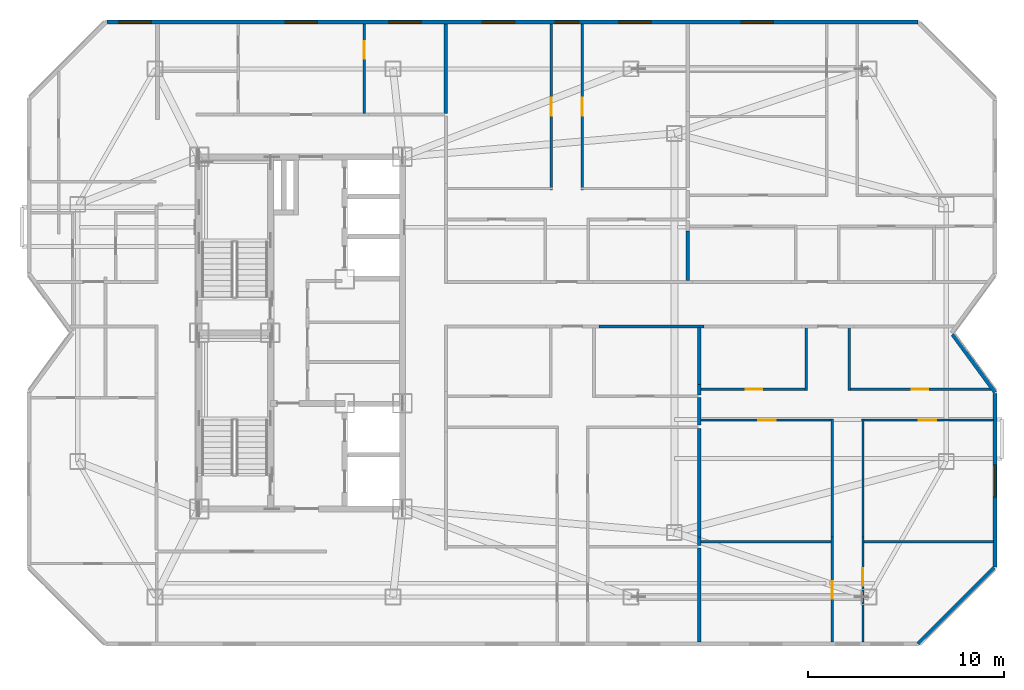
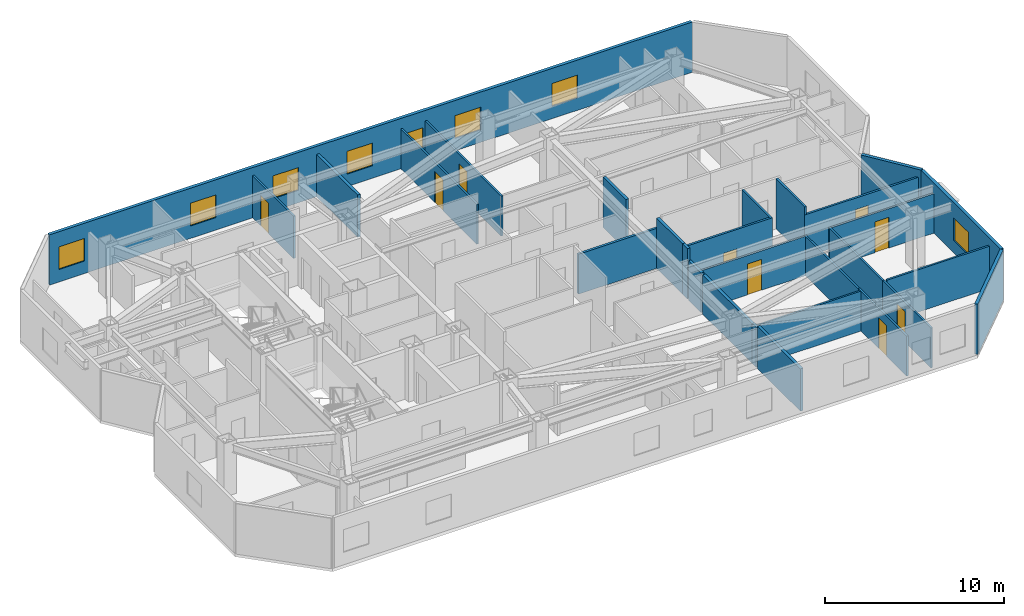
# One storey, part 7 of 10: 28 walls, 9 doors, 8 windows, 17 openings.
"""IFC4 building model written with IfcOpenShell, lengths in metres."""

from ifc_helpers import new_model, si_unit, direction, frame, frame_2d, origin, place, context, subcontext, project, spatial, rectangle, extrude, material, layer, layer_set, type_object, element, fill, save


model = new_model("IFC4")

# Units and contexts
model_context = context("Model", 3, precision=1e-05, world=origin(), true_north=direction((0.0, 1.0)))
body_context = subcontext(model_context, "Body", "Model", "MODEL_VIEW")
ifc_project = project(units=[si_unit("LENGTHUNIT", "METRE"), si_unit("AREAUNIT", "SQUARE_METRE"), si_unit("VOLUMEUNIT", "CUBIC_METRE"), si_unit("PLANEANGLEUNIT", "RADIAN"), si_unit("MASSUNIT", "GRAM", prefix="KILO")], contexts=[model_context])

# Site, building, storey
site_placement = place(None, origin())
site = spatial("IfcSite", under=ifc_project, at=site_placement, CompositionType="ELEMENT")
building_placement = place(site_placement, origin())
building = spatial("IfcBuilding", under=site, at=building_placement, Name="Khamvora Tower", CompositionType="ELEMENT")
storey_placement = place(building_placement, frame((0.0, 0.0, 257.35009765625)))
storey = spatial("IfcBuildingStorey", under=building, at=storey_placement, Name="L66", CompositionType="ELEMENT", Elevation=257.35009765625)

# Walls
ifc_material_1 = material(Name="Fire-Rated Drywall and Steel Stud", Category="steel")
ifc_layer_1 = layer(ifc_material_1, 0.14990234375)
ifc_layer_set_1 = layer_set([ifc_layer_1], Name="Fire-Rated Drywall and Steel Stud")
wall_type_1 = type_object("IfcWallType", Name="WAL-CORR-150", PredefinedType="STANDARD", material=ifc_layer_set_1)
wall_1_placement = place(storey_placement, frame((54.81396484375, 28.3349609375, 0.0), z_axis=(0.0, 0.0, 1.0), x_axis=(-1.0, 0.0, 0.0)))
element("IfcWall", 1, at=wall_1_placement, inside=storey, type_object=wall_type_1, Name="L66 interior partition wall 023", PredefinedType="STANDARD", context=body_context, shape_type="SweptSolid", body=[
    extrude(rectangle(XDim=5.375, YDim=0.14990234375, at=frame_2d((2.6875, 0.0))), origin(), (0.0, 0.0, 1.0), 2.724853515625),
])
ifc_material_2 = material(Name="Acoustic Double-Stud Fire Wall", Category="gypsum")
ifc_layer_2 = layer(ifc_material_2, 0.179931640625)
ifc_layer_set_2 = layer_set([ifc_layer_2], Name="Acoustic Double-Stud Fire Wall")
wall_type_2 = type_object("IfcWallType", Name="WAL-CORR-180", PredefinedType="STANDARD", material=ifc_layer_set_2)
wall_2_placement = place(storey_placement, frame((41.614990234375, 43.80810546875, 0.0), z_axis=(0.0, 0.0, 1.0), x_axis=(0.0, -1.0, 0.0)))
element("IfcWall", 2, at=wall_2_placement, inside=storey, type_object=wall_type_2, Name="L66 interior partition wall 057", PredefinedType="STANDARD", context=body_context, shape_type="SweptSolid", body=[
    extrude(rectangle(XDim=4.578125, YDim=0.179931640625, at=frame_2d((2.2890625, 0.0))), origin(), (0.0, 0.0, 1.0), 2.886962890625),
])
wall_3_placement = place(storey_placement, frame((54.56494140625, 24.68994140625, 0.0), z_axis=(0.0, 0.0, 1.0), x_axis=(0.0, -1.0, 0.0)))
element("IfcWall", 3, at=wall_3_placement, inside=storey, type_object=wall_type_2, Name="L66 interior partition wall 068", PredefinedType="STANDARD", context=body_context, shape_type="SweptSolid", body=[
    extrude(rectangle(XDim=1.392822265625, YDim=0.179931640625, at=frame_2d((0.6962890625, 0.0))), origin(), (0.0, 0.0, 1.0), 2.68701171875),
])
wall_4_placement = place(storey_placement, frame((54.56494140625, 25.375, 0.0), z_axis=(0.0, 0.0, 1.0), x_axis=(0.0, -1.0, 0.0)))
element("IfcWall", 4, at=wall_4_placement, inside=storey, type_object=wall_type_2, Name="L66 interior partition wall 069", PredefinedType="STANDARD", context=body_context, shape_type="SweptSolid", body=[
    extrude(rectangle(XDim=0.554931640625, YDim=0.179931640625, at=frame_2d((0.27734375, 0.0))), origin(), (0.0, 0.0, 1.0), 3.429931640625),
])
wall_5_placement = place(storey_placement, frame((54.56494140625, 28.27001953125, 0.0), z_axis=(0.0, 0.0, 1.0), x_axis=(0.0, -1.0, 0.0)))
element("IfcWall", 5, at=wall_5_placement, inside=storey, type_object=wall_type_2, Name="L66 interior partition wall 070", PredefinedType="STANDARD", context=body_context, shape_type="SweptSolid", body=[
    extrude(rectangle(XDim=2.89501953125, YDim=0.179931640625, at=frame_2d((1.447509765625, 0.0))), origin(), (0.0, 0.0, 1.0), 3.429931640625),
])
wall_6_placement = place(storey_placement, frame((54.56494140625, 17.0, 0.0), z_axis=(0.0, 0.0, 1.0), x_axis=(0.0, -1.0, 0.0)))
element("IfcWall", 6, at=wall_6_placement, inside=storey, type_object=wall_type_2, Name="L66 interior partition wall 073", PredefinedType="STANDARD", context=body_context, shape_type="SweptSolid", body=[
    extrude(rectangle(XDim=4.80810546875, YDim=0.179931640625, at=frame_2d((2.404052734375, 0.0))), origin(), (0.0, 0.0, 1.0), 2.886962890625),
])
wall_7_placement = place(storey_placement, frame((54.56494140625, 17.574951171875, 0.0), z_axis=(0.0, 0.0, 1.0), x_axis=(0.0, -1.0, 0.0)))
element("IfcWall", 7, at=wall_7_placement, inside=storey, type_object=wall_type_2, Name="L66 interior partition wall 074", PredefinedType="STANDARD", context=body_context, shape_type="SweptSolid", body=[
    extrude(rectangle(XDim=0.445068359375, YDim=0.179931640625, at=frame_2d((0.22265625, 0.0))), origin(), (0.0, 0.0, 1.0), 2.724853515625),
])
wall_8_placement = place(storey_placement, frame((54.56494140625, 23.110107421875, 0.0), z_axis=(0.0, 0.0, 1.0), x_axis=(0.0, -1.0, 0.0)))
element("IfcWall", 8, at=wall_8_placement, inside=storey, type_object=wall_type_2, Name="L66 interior partition wall 075", PredefinedType="STANDARD", context=body_context, shape_type="SweptSolid", body=[
    extrude(rectangle(XDim=5.53515625, YDim=0.179931640625, at=frame_2d((2.767578125, 0.0))), origin(), (0.0, 0.0, 1.0), 2.68701171875),
])
wall_9_placement = place(storey_placement, frame((53.985107421875, 33.214111328125, 0.0), z_axis=(0.0, 0.0, 1.0), x_axis=(0.0, -1.0, 0.0)))
element("IfcWall", 9, at=wall_9_placement, inside=storey, type_object=wall_type_2, Name="L66 interior partition wall 098", PredefinedType="STANDARD", context=body_context, shape_type="SweptSolid", body=[
    extrude(rectangle(XDim=2.5341796875, YDim=0.179931640625, at=frame_2d((1.26708984375, 0.0))), origin(), (0.0, 0.0, 1.0), 3.429931640625),
])

# Wall, openings, windows
ifc_material_3 = material(Name="Precast concrete C40/50", Category="concrete")
ifc_layer_3 = layer(ifc_material_3, 0.199951171875)
ifc_layer_set_3 = layer_set([ifc_layer_3], Name="Precast concrete C40/50")
wall_type_3 = type_object("IfcWallType", Name="WAL-EXT-200", PredefinedType="STANDARD", material=ifc_layer_set_3)
wall_10_placement = place(storey_placement, frame((24.302001953125, 43.89990234375, 0.0), z_axis=(0.0, 0.0, 1.0), x_axis=(1.0, 0.0, 0.0)))
wall_10 = element("IfcWall", 10, at=wall_10_placement, inside=storey, type_object=wall_type_3, Name="L66 exterior facade wall 07.1", PredefinedType="STANDARD", context=body_context, shape_type="SweptSolid", body=[
    extrude(rectangle(XDim=41.45703125, YDim=0.199951171875, at=frame_2d((20.728515625, 0.0))), origin(), (0.0, 0.0, 1.0), 3.429931640625),
])
opening_1_placement = place(wall_10_placement, frame((0.60400390625, 0.0, 0.85009765625)))
opening_1 = element("IfcOpeningElement", 11, at=opening_1_placement, cuts=wall_10, Name="Opening WN-06", PredefinedType="OPENING", context=body_context, shape_type="SweptSolid", body=[
    extrude(rectangle(XDim=1.64990234375, YDim=1.550048828125, at=frame_2d((0.824951171875, 0.77490234375))), frame((0.0, 0.10986328125, 0.0), z_axis=(0.0, -1.0, 0.0), x_axis=(1.0, 0.0, 0.0)), (0.0, 0.0, 1.0), 0.219970703125),
])
opening_2_placement = place(wall_10_placement, frame((9.097900390625, 0.0, 0.85009765625)))
opening_2 = element("IfcOpeningElement", 12, at=opening_2_placement, cuts=wall_10, Name="Opening WN-06", PredefinedType="OPENING", context=body_context, shape_type="SweptSolid", body=[
    extrude(rectangle(XDim=1.64990234375, YDim=1.550048828125, at=frame_2d((0.824951171875, 0.77490234375))), frame((0.0, 0.10986328125, 0.0), z_axis=(0.0, -1.0, 0.0), x_axis=(1.0, 0.0, 0.0)), (0.0, 0.0, 1.0), 0.219970703125),
])
opening_3_placement = place(wall_10_placement, frame((14.405029296875, 0.0, 0.85009765625)))
opening_3 = element("IfcOpeningElement", 13, at=opening_3_placement, cuts=wall_10, Name="Opening WN-06", PredefinedType="OPENING", context=body_context, shape_type="SweptSolid", body=[
    extrude(rectangle(XDim=1.64990234375, YDim=1.550048828125, at=frame_2d((0.824951171875, 0.77490234375))), frame((0.0, 0.10986328125, 0.0), z_axis=(0.0, -1.0, 0.0), x_axis=(1.0, 0.0, 0.0)), (0.0, 0.0, 1.0), 0.219970703125),
])
opening_4_placement = place(wall_10_placement, frame((22.89794921875, 0.0, 0.800048828125)))
opening_4 = element("IfcOpeningElement", 14, at=opening_4_placement, cuts=wall_10, Name="Opening WN-03", PredefinedType="OPENING", context=body_context, shape_type="SweptSolid", body=[
    extrude(rectangle(XDim=1.199951171875, YDim=1.5, at=frame_2d((0.60009765625, 0.75))), frame((0.0, 0.10986328125, 0.0), z_axis=(0.0, -1.0, 0.0), x_axis=(1.0, 0.0, 0.0)), (0.0, 0.0, 1.0), 0.219970703125),
])
opening_5_placement = place(wall_10_placement, frame((19.18798828125, 0.0, 0.85009765625)))
opening_5 = element("IfcOpeningElement", 15, at=opening_5_placement, cuts=wall_10, Name="Opening WN-06", PredefinedType="OPENING", context=body_context, shape_type="SweptSolid", body=[
    extrude(rectangle(XDim=1.64990234375, YDim=1.550048828125, at=frame_2d((0.824951171875, 0.77490234375))), frame((0.0, 0.10986328125, 0.0), z_axis=(0.0, -1.0, 0.0), x_axis=(1.0, 0.0, 0.0)), (0.0, 0.0, 1.0), 0.219970703125),
])
opening_6_placement = place(wall_10_placement, frame((26.157958984375, 0.0, 0.85009765625)))
opening_6 = element("IfcOpeningElement", 16, at=opening_6_placement, cuts=wall_10, Name="Opening WN-06", PredefinedType="OPENING", context=body_context, shape_type="SweptSolid", body=[
    extrude(rectangle(XDim=1.64990234375, YDim=1.550048828125, at=frame_2d((0.824951171875, 0.77490234375))), frame((0.0, 0.10986328125, 0.0), z_axis=(0.0, -1.0, 0.0), x_axis=(1.0, 0.0, 0.0)), (0.0, 0.0, 1.0), 0.219970703125),
])
opening_7_placement = place(wall_10_placement, frame((32.407958984375, 0.0, 0.85009765625)))
opening_7 = element("IfcOpeningElement", 17, at=opening_7_placement, cuts=wall_10, Name="Opening WN-06", PredefinedType="OPENING", context=body_context, shape_type="SweptSolid", body=[
    extrude(rectangle(XDim=1.64990234375, YDim=1.550048828125, at=frame_2d((0.824951171875, 0.77490234375))), frame((0.0, 0.10986328125, 0.0), z_axis=(0.0, -1.0, 0.0), x_axis=(1.0, 0.0, 0.0)), (0.0, 0.0, 1.0), 0.219970703125),
])
ifc_material_4 = material(Name="Low-E Laminated Double Glazing", Category="glass")
window_type_1 = type_object("IfcWindowType", Name="WIN-VIS-1200x1500", PartitioningType="SINGLE_PANEL", PredefinedType="WINDOW", material=ifc_material_4)
window_1_placement = place(opening_4_placement, origin())
window_1 = element("IfcWindow", 18, at=window_1_placement, inside=storey, type_object=window_type_1, Name="L66 vision window 07.1.04", OverallHeight=1.5, OverallWidth=1.199951171875, PartitioningType="SINGLE_PANEL", PredefinedType="WINDOW", context=body_context, shape_type="SweptSolid", body=[
    extrude(rectangle(XDim=1.199951171875, YDim=1.5, at=frame_2d((0.60009765625, 0.75))), frame((0.0, 0.030029296875, 0.0), z_axis=(0.0, -1.0, 0.0), x_axis=(1.0, 0.0, 0.0)), (0.0, 0.0, 1.0), 0.06005859375),
])
fill(opening_4, window_1)
window_type_2 = type_object("IfcWindowType", Name="WIN-VIS-1650x1550", PartitioningType="SINGLE_PANEL", PredefinedType="WINDOW", material=ifc_material_4)
window_2_placement = place(opening_1_placement, origin())
window_2 = element("IfcWindow", 19, at=window_2_placement, inside=storey, type_object=window_type_2, Name="L66 vision window 07.1.01", OverallHeight=1.550048828125, OverallWidth=1.64990234375, PartitioningType="SINGLE_PANEL", PredefinedType="WINDOW", context=body_context, shape_type="SweptSolid", body=[
    extrude(rectangle(XDim=1.64990234375, YDim=1.550048828125, at=frame_2d((0.824951171875, 0.77490234375))), frame((0.0, 0.030029296875, 0.0), z_axis=(0.0, -1.0, 0.0), x_axis=(1.0, 0.0, 0.0)), (0.0, 0.0, 1.0), 0.06005859375),
])
fill(opening_1, window_2)
window_3_placement = place(opening_2_placement, origin())
window_3 = element("IfcWindow", 20, at=window_3_placement, inside=storey, type_object=window_type_2, Name="L66 vision window 07.1.02", OverallHeight=1.550048828125, OverallWidth=1.64990234375, PartitioningType="SINGLE_PANEL", PredefinedType="WINDOW", context=body_context, shape_type="SweptSolid", body=[
    extrude(rectangle(XDim=1.64990234375, YDim=1.550048828125, at=frame_2d((0.824951171875, 0.77490234375))), frame((0.0, 0.030029296875, 0.0), z_axis=(0.0, -1.0, 0.0), x_axis=(1.0, 0.0, 0.0)), (0.0, 0.0, 1.0), 0.06005859375),
])
fill(opening_2, window_3)
window_4_placement = place(opening_3_placement, origin())
window_4 = element("IfcWindow", 21, at=window_4_placement, inside=storey, type_object=window_type_2, Name="L66 vision window 07.1.03", OverallHeight=1.550048828125, OverallWidth=1.64990234375, PartitioningType="SINGLE_PANEL", PredefinedType="WINDOW", context=body_context, shape_type="SweptSolid", body=[
    extrude(rectangle(XDim=1.64990234375, YDim=1.550048828125, at=frame_2d((0.824951171875, 0.77490234375))), frame((0.0, 0.030029296875, 0.0), z_axis=(0.0, -1.0, 0.0), x_axis=(1.0, 0.0, 0.0)), (0.0, 0.0, 1.0), 0.06005859375),
])
fill(opening_3, window_4)
window_5_placement = place(opening_5_placement, origin())
window_5 = element("IfcWindow", 22, at=window_5_placement, inside=storey, type_object=window_type_2, Name="L66 vision window 07.1.05", OverallHeight=1.550048828125, OverallWidth=1.64990234375, PartitioningType="SINGLE_PANEL", PredefinedType="WINDOW", context=body_context, shape_type="SweptSolid", body=[
    extrude(rectangle(XDim=1.64990234375, YDim=1.550048828125, at=frame_2d((0.824951171875, 0.77490234375))), frame((0.0, 0.030029296875, 0.0), z_axis=(0.0, -1.0, 0.0), x_axis=(1.0, 0.0, 0.0)), (0.0, 0.0, 1.0), 0.06005859375),
])
fill(opening_5, window_5)
window_6_placement = place(opening_6_placement, origin())
window_6 = element("IfcWindow", 23, at=window_6_placement, inside=storey, type_object=window_type_2, Name="L66 vision window 07.1.06", OverallHeight=1.550048828125, OverallWidth=1.64990234375, PartitioningType="SINGLE_PANEL", PredefinedType="WINDOW", context=body_context, shape_type="SweptSolid", body=[
    extrude(rectangle(XDim=1.64990234375, YDim=1.550048828125, at=frame_2d((0.824951171875, 0.77490234375))), frame((0.0, 0.030029296875, 0.0), z_axis=(0.0, -1.0, 0.0), x_axis=(1.0, 0.0, 0.0)), (0.0, 0.0, 1.0), 0.06005859375),
])
fill(opening_6, window_6)
window_7_placement = place(opening_7_placement, origin())
window_7 = element("IfcWindow", 24, at=window_7_placement, inside=storey, type_object=window_type_2, Name="L66 vision window 07.1.07", OverallHeight=1.550048828125, OverallWidth=1.64990234375, PartitioningType="SINGLE_PANEL", PredefinedType="WINDOW", context=body_context, shape_type="SweptSolid", body=[
    extrude(rectangle(XDim=1.64990234375, YDim=1.550048828125, at=frame_2d((0.824951171875, 0.77490234375))), frame((0.0, 0.030029296875, 0.0), z_axis=(0.0, -1.0, 0.0), x_axis=(1.0, 0.0, 0.0)), (0.0, 0.0, 1.0), 0.06005859375),
])
fill(opening_7, window_7)

# Wall
wall_11_placement = place(storey_placement, frame((67.527099609375, 27.930908203125, 0.0), z_axis=(0.0, 0.0, 1.0), x_axis=(0.591248456881, -0.80648946815, 0.0)))
element("IfcWall", 25, at=wall_11_placement, inside=storey, type_object=wall_type_3, Name="L66 exterior facade wall 11.1", PredefinedType="STANDARD", context=body_context, shape_type="SweptSolid", body=[
    extrude(rectangle(XDim=3.675048828125, YDim=0.199951171875, at=frame_2d((1.83740234375, 0.0))), origin(), (0.0, 0.0, 1.0), 3.429931640625),
])

# Wall, opening, window
wall_12_placement = place(storey_placement, frame((69.699951171875, 24.916015625, 0.0), z_axis=(0.0, 0.0, 1.0), x_axis=(0.0, -1.0, 0.0)))
wall_12 = element("IfcWall", 26, at=wall_12_placement, inside=storey, type_object=wall_type_3, Name="L66 exterior facade wall 12.1", PredefinedType="STANDARD", context=body_context, shape_type="SweptSolid", body=[
    extrude(rectangle(XDim=8.875, YDim=0.199951171875, at=frame_2d((4.4375, 0.0))), origin(), (0.0, 0.0, 1.0), 3.429931640625),
])
opening_8_placement = place(wall_12_placement, frame((3.655029296875, 0.0, 0.85009765625)))
opening_8 = element("IfcOpeningElement", 27, at=opening_8_placement, cuts=wall_12, Name="Opening WN-06", PredefinedType="OPENING", context=body_context, shape_type="SweptSolid", body=[
    extrude(rectangle(XDim=1.64990234375, YDim=1.550048828125, at=frame_2d((0.824951171875, 0.77490234375))), frame((0.0, 0.10986328125, 0.0), z_axis=(0.0, -1.0, 0.0), x_axis=(1.0, 0.0, 0.0)), (0.0, 0.0, 1.0), 0.219970703125),
])
window_8_placement = place(opening_8_placement, origin())
window_8 = element("IfcWindow", 28, at=window_8_placement, inside=storey, type_object=window_type_2, Name="L66 vision window 12.1.01", OverallHeight=1.550048828125, OverallWidth=1.64990234375, PartitioningType="SINGLE_PANEL", PredefinedType="WINDOW", context=body_context, shape_type="SweptSolid", body=[
    extrude(rectangle(XDim=1.64990234375, YDim=1.550048828125, at=frame_2d((0.824951171875, 0.77490234375))), frame((0.0, 0.030029296875, 0.0), z_axis=(0.0, -1.0, 0.0), x_axis=(1.0, 0.0, 0.0)), (0.0, 0.0, 1.0), 0.06005859375),
])
fill(opening_8, window_8)

# Wall
wall_13_placement = place(storey_placement, frame((69.655029296875, 15.99609375, 0.0), z_axis=(0.0, 0.0, 1.0), x_axis=(-0.707106781187, -0.707106781187, 0.0)))
element("IfcWall", 29, at=wall_13_placement, inside=storey, type_object=wall_type_3, Name="L66 exterior facade wall 13.1", PredefinedType="STANDARD", context=body_context, shape_type="SweptSolid", body=[
    extrude(rectangle(XDim=5.509765625, YDim=0.199951171875, at=frame_2d((2.7548828125, 0.0))), origin(), (0.0, 0.0, 1.0), 3.429931640625),
])

# Wall, opening, door
ifc_material_5 = material(Name="Gypsum Plasterboard Partition", Category="gypsum")
ifc_layer_4 = layer(ifc_material_5, 0.1201171875)
ifc_layer_set_4 = layer_set([ifc_layer_4], Name="Gypsum Plasterboard Partition")
wall_type_4 = type_object("IfcWallType", Name="WAL-PART-120", PredefinedType="PARTITIONING", material=ifc_layer_set_4)
wall_14_placement = place(storey_placement, frame((37.449951171875, 43.80810546875, 0.0), z_axis=(0.0, 0.0, 1.0), x_axis=(0.0, -1.0, 0.0)))
wall_14 = element("IfcWall", 30, at=wall_14_placement, inside=storey, type_object=wall_type_4, Name="L66 interior partition wall 055", PredefinedType="PARTITIONING", context=body_context, shape_type="SweptSolid", body=[
    extrude(rectangle(XDim=4.576171875, YDim=0.1201171875, at=frame_2d((2.2880859375, 0.0))), origin(), (0.0, 0.0, 1.0), 2.886962890625),
])
opening_9_placement = place(wall_14_placement, frame((0.884033203125, 0.0, 0.0)))
opening_9 = element("IfcOpeningElement", 31, at=opening_9_placement, cuts=wall_14, Name="Opening D-RM1", PredefinedType="OPENING", context=body_context, shape_type="SweptSolid", body=[
    extrude(rectangle(XDim=0.89990234375, YDim=2.10009765625, at=frame_2d((0.449951171875, 1.050048828125))), frame((0.0, 0.070068359375, 0.0), z_axis=(0.0, -1.0, 0.0), x_axis=(1.0, 0.0, 0.0)), (0.0, 0.0, 1.0), 0.14013671875),
])
ifc_material_6 = material(Name="Powder-Coated Steel and Hardwood Leaf", Category="steel")
door_type_1 = type_object("IfcDoorType", Name="DOR-ROOM-900", OperationType="NOTDEFINED", PredefinedType="DOOR", material=ifc_material_6)
door_1_placement = place(opening_9_placement, origin())
door_1 = element("IfcDoor", 32, at=door_1_placement, inside=storey, type_object=door_type_1, Name="L66 interior door 66NAH-66NAR1", OperationType="SINGLE_SWING_RIGHT", OverallHeight=2.10009765625, OverallWidth=0.89990234375, PredefinedType="DOOR", context=body_context, shape_type="SweptSolid", body=[
    extrude(rectangle(XDim=0.89990234375, YDim=2.10009765625, at=frame_2d((0.449951171875, 1.050048828125))), frame((0.0, 0.02490234375, 0.0), z_axis=(0.0, -1.0, 0.0), x_axis=(1.0, 0.0, 0.0)), (0.0, 0.0, 1.0), 0.050048828125),
])
fill(opening_9, door_1)

wall_15_placement = place(storey_placement, frame((61.375, 12.19189453125, 0.0), z_axis=(0.0, 0.0, 1.0), x_axis=(0.0, 1.0, 0.0)))
wall_15 = element("IfcWall", 33, at=wall_15_placement, inside=storey, type_object=wall_type_4, Name="L66 interior partition wall 080", PredefinedType="PARTITIONING", context=body_context, shape_type="SweptSolid", body=[
    extrude(rectangle(XDim=5.383056640625, YDim=0.1201171875, at=frame_2d((2.69140625, 0.0))), origin(), (0.0, 0.0, 1.0), 2.724853515625),
])
opening_10_placement = place(wall_15_placement, frame((2.219970703125, 0.0, 0.0)))
opening_10 = element("IfcOpeningElement", 34, at=opening_10_placement, cuts=wall_15, Name="Opening D-RM1", PredefinedType="OPENING", context=body_context, shape_type="SweptSolid", body=[
    extrude(rectangle(XDim=0.89990234375, YDim=2.10009765625, at=frame_2d((0.449951171875, 1.050048828125))), frame((0.0, 0.070068359375, 0.0), z_axis=(0.0, -1.0, 0.0), x_axis=(1.0, 0.0, 0.0)), (0.0, 0.0, 1.0), 0.14013671875),
])
door_2_placement = place(opening_10_placement, origin())
door_2 = element("IfcDoor", 35, at=door_2_placement, inside=storey, type_object=door_type_1, Name="L66 interior door 66EA2H-66EA2R1", OperationType="SINGLE_SWING_LEFT", OverallHeight=2.10009765625, OverallWidth=0.89990234375, PredefinedType="DOOR", context=body_context, shape_type="SweptSolid", body=[
    extrude(rectangle(XDim=0.89990234375, YDim=2.10009765625, at=frame_2d((0.449951171875, 1.050048828125))), frame((0.0, 0.02490234375, 0.0), z_axis=(0.0, -1.0, 0.0), x_axis=(1.0, 0.0, 0.0)), (0.0, 0.0, 1.0), 0.050048828125),
])
fill(opening_10, door_2)

# Wall
wall_16_placement = place(storey_placement, frame((61.375, 17.574951171875, 0.0), z_axis=(0.0, 0.0, 1.0), x_axis=(0.0, 1.0, 0.0)))
element("IfcWall", 36, at=wall_16_placement, inside=storey, type_object=wall_type_4, Name="L66 interior partition wall 081", PredefinedType="PARTITIONING", context=body_context, shape_type="SweptSolid", body=[
    extrude(rectangle(XDim=6.0361328125, YDim=0.1201171875, at=frame_2d((3.01806640625, 0.0))), origin(), (0.0, 0.0, 1.0), 2.68701171875),
])

# Wall, opening, door
wall_17_placement = place(storey_placement, frame((61.43994140625, 23.5458984375, 0.0), z_axis=(0.0, 0.0, 1.0), x_axis=(-1.0, 0.0, 0.0)))
wall_17 = element("IfcWall", 37, at=wall_17_placement, inside=storey, type_object=wall_type_4, Name="L66 interior partition wall 082", PredefinedType="PARTITIONING", context=body_context, shape_type="SweptSolid", body=[
    extrude(rectangle(XDim=6.79296875, YDim=0.1201171875, at=frame_2d((3.396484375, 0.0))), origin(), (0.0, 0.0, 1.0), 2.68701171875),
])
opening_11_placement = place(wall_17_placement, frame((2.946044921875, 0.0, 0.0)))
opening_11 = element("IfcOpeningElement", 38, at=opening_11_placement, cuts=wall_17, Name="Opening D-RM1", PredefinedType="OPENING", context=body_context, shape_type="SweptSolid", body=[
    extrude(rectangle(XDim=0.89990234375, YDim=2.10009765625, at=frame_2d((0.449951171875, 1.050048828125))), frame((0.0, 0.070068359375, 0.0), z_axis=(0.0, -1.0, 0.0), x_axis=(1.0, 0.0, 0.0)), (0.0, 0.0, 1.0), 0.14013671875),
])
door_3_placement = place(opening_11_placement, origin())
door_3 = element("IfcDoor", 39, at=door_3_placement, inside=storey, type_object=door_type_1, Name="L66 interior door 66EA2H-66EA2R2", OperationType="SINGLE_SWING_RIGHT", OverallHeight=2.10009765625, OverallWidth=0.89990234375, PredefinedType="DOOR", context=body_context, shape_type="SweptSolid", body=[
    extrude(rectangle(XDim=0.89990234375, YDim=2.10009765625, at=frame_2d((0.449951171875, 1.050048828125))), frame((0.0, 0.02490234375, 0.0), z_axis=(0.0, -1.0, 0.0), x_axis=(1.0, 0.0, 0.0)), (0.0, 0.0, 1.0), 0.050048828125),
])
fill(opening_11, door_3)

wall_18_placement = place(storey_placement, frame((62.945068359375, 17.574951171875, 0.0), z_axis=(0.0, 0.0, 1.0), x_axis=(0.0, -1.0, 0.0)))
wall_18 = element("IfcWall", 40, at=wall_18_placement, inside=storey, type_object=wall_type_4, Name="L66 interior partition wall 083", PredefinedType="PARTITIONING", context=body_context, shape_type="SweptSolid", body=[
    extrude(rectangle(XDim=5.383056640625, YDim=0.1201171875, at=frame_2d((2.69140625, 0.0))), origin(), (0.0, 0.0, 1.0), 2.724853515625),
])
opening_12_placement = place(wall_18_placement, frame((1.60107421875, 0.0, 0.0)))
opening_12 = element("IfcOpeningElement", 41, at=opening_12_placement, cuts=wall_18, Name="Opening D-RM1", PredefinedType="OPENING", context=body_context, shape_type="SweptSolid", body=[
    extrude(rectangle(XDim=0.89990234375, YDim=2.10009765625, at=frame_2d((0.449951171875, 1.050048828125))), frame((0.0, 0.070068359375, 0.0), z_axis=(0.0, -1.0, 0.0), x_axis=(1.0, 0.0, 0.0)), (0.0, 0.0, 1.0), 0.14013671875),
])
door_4_placement = place(opening_12_placement, origin())
door_4 = element("IfcDoor", 42, at=door_4_placement, inside=storey, type_object=door_type_1, Name="L66 interior door 66EA2H-66EA2R3", OperationType="SINGLE_SWING_LEFT", OverallHeight=2.10009765625, OverallWidth=0.89990234375, PredefinedType="DOOR", context=body_context, shape_type="SweptSolid", body=[
    extrude(rectangle(XDim=0.89990234375, YDim=2.10009765625, at=frame_2d((0.449951171875, 1.050048828125))), frame((0.0, 0.02490234375, 0.0), z_axis=(0.0, -1.0, 0.0), x_axis=(1.0, 0.0, 0.0)), (0.0, 0.0, 1.0), 0.050048828125),
])
fill(opening_12, door_4)

# Wall
wall_19_placement = place(storey_placement, frame((62.945068359375, 23.611083984375, 0.0), z_axis=(0.0, 0.0, 1.0), x_axis=(0.0, -1.0, 0.0)))
element("IfcWall", 43, at=wall_19_placement, inside=storey, type_object=wall_type_4, Name="L66 interior partition wall 084", PredefinedType="PARTITIONING", context=body_context, shape_type="SweptSolid", body=[
    extrude(rectangle(XDim=6.0361328125, YDim=0.1201171875, at=frame_2d((3.01806640625, 0.0))), origin(), (0.0, 0.0, 1.0), 2.68701171875),
])

# Wall, opening, door
wall_20_placement = place(storey_placement, frame((69.60791015625, 23.5458984375, 0.0), z_axis=(0.0, 0.0, 1.0), x_axis=(-1.0, 0.0, 0.0)))
wall_20 = element("IfcWall", 44, at=wall_20_placement, inside=storey, type_object=wall_type_4, Name="L66 interior partition wall 085", PredefinedType="PARTITIONING", context=body_context, shape_type="SweptSolid", body=[
    extrude(rectangle(XDim=6.72802734375, YDim=0.1201171875, at=frame_2d((3.364013671875, 0.0))), origin(), (0.0, 0.0, 1.0), 2.68701171875),
])
opening_13_placement = place(wall_20_placement, frame((2.9140625, 0.0, 0.0)))
opening_13 = element("IfcOpeningElement", 45, at=opening_13_placement, cuts=wall_20, Name="Opening D-RM1", PredefinedType="OPENING", context=body_context, shape_type="SweptSolid", body=[
    extrude(rectangle(XDim=0.89990234375, YDim=2.10009765625, at=frame_2d((0.449951171875, 1.050048828125))), frame((0.0, 0.070068359375, 0.0), z_axis=(0.0, -1.0, 0.0), x_axis=(1.0, 0.0, 0.0)), (0.0, 0.0, 1.0), 0.14013671875),
])
door_5_placement = place(opening_13_placement, origin())
door_5 = element("IfcDoor", 46, at=door_5_placement, inside=storey, type_object=door_type_1, Name="L66 interior door 66EA2H-66EA2R4", OperationType="SINGLE_SWING_LEFT", OverallHeight=2.10009765625, OverallWidth=0.89990234375, PredefinedType="DOOR", context=body_context, shape_type="SweptSolid", body=[
    extrude(rectangle(XDim=0.89990234375, YDim=2.10009765625, at=frame_2d((0.449951171875, 1.050048828125))), frame((0.0, 0.02490234375, 0.0), z_axis=(0.0, -1.0, 0.0), x_axis=(1.0, 0.0, 0.0)), (0.0, 0.0, 1.0), 0.050048828125),
])
fill(opening_13, door_5)

# Walls
wall_21_placement = place(storey_placement, frame((54.64697265625, 17.324951171875, 0.0), z_axis=(0.0, 0.0, 1.0), x_axis=(1.0, 0.0, 0.0)))
element("IfcWall", 47, at=wall_21_placement, inside=storey, type_object=wall_type_4, Name="L66 interior partition wall 086", PredefinedType="PARTITIONING", context=body_context, shape_type="SweptSolid", body=[
    extrude(rectangle(XDim=6.674072265625, YDim=0.1201171875, at=frame_2d((3.3369140625, 0.0))), origin(), (0.0, 0.0, 1.0), 2.724853515625),
])
wall_22_placement = place(storey_placement, frame((62.9990234375, 17.324951171875, 0.0), z_axis=(0.0, 0.0, 1.0), x_axis=(1.0, 0.0, 0.0)))
element("IfcWall", 48, at=wall_22_placement, inside=storey, type_object=wall_type_4, Name="L66 interior partition wall 087", PredefinedType="PARTITIONING", context=body_context, shape_type="SweptSolid", body=[
    extrude(rectangle(XDim=6.60888671875, YDim=0.1201171875, at=frame_2d((3.304443359375, 0.0))), origin(), (0.0, 0.0, 1.0), 2.886962890625),
])

# Wall, opening, door
wall_23_placement = place(storey_placement, frame((47.014892578125, 35.318115234375, 0.0), z_axis=(0.0, 0.0, 1.0), x_axis=(0.0, 1.0, 0.0)))
wall_23 = element("IfcWall", 49, at=wall_23_placement, inside=storey, type_object=wall_type_4, Name="L66 interior partition wall 093", PredefinedType="PARTITIONING", context=body_context, shape_type="SweptSolid", body=[
    extrude(rectangle(XDim=8.489990234375, YDim=0.1201171875, at=frame_2d((4.2451171875, 0.0))), origin(), (0.0, 0.0, 1.0), 2.724853515625),
])
opening_14_placement = place(wall_23_placement, frame((3.794921875, 0.0, 0.0)))
opening_14 = element("IfcOpeningElement", 50, at=opening_14_placement, cuts=wall_23, Name="Opening D-RM1", PredefinedType="OPENING", context=body_context, shape_type="SweptSolid", body=[
    extrude(rectangle(XDim=0.89990234375, YDim=2.10009765625, at=frame_2d((0.449951171875, 1.050048828125))), frame((0.0, 0.070068359375, 0.0), z_axis=(0.0, -1.0, 0.0), x_axis=(1.0, 0.0, 0.0)), (0.0, 0.0, 1.0), 0.14013671875),
])
door_6_placement = place(opening_14_placement, origin())
door_6 = element("IfcDoor", 51, at=door_6_placement, inside=storey, type_object=door_type_1, Name="L66 interior door 66EBH-66EBR1", OperationType="SINGLE_SWING_RIGHT", OverallHeight=2.10009765625, OverallWidth=0.89990234375, PredefinedType="DOOR", context=body_context, shape_type="SweptSolid", body=[
    extrude(rectangle(XDim=0.89990234375, YDim=2.10009765625, at=frame_2d((0.449951171875, 1.050048828125))), frame((0.0, 0.02490234375, 0.0), z_axis=(0.0, -1.0, 0.0), x_axis=(1.0, 0.0, 0.0)), (0.0, 0.0, 1.0), 0.050048828125),
])
fill(opening_14, door_6)

wall_24_placement = place(storey_placement, frame((48.5849609375, 43.80810546875, 0.0), z_axis=(0.0, 0.0, 1.0), x_axis=(0.0, -1.0, 0.0)))
wall_24 = element("IfcWall", 52, at=wall_24_placement, inside=storey, type_object=wall_type_4, Name="L66 interior partition wall 094", PredefinedType="PARTITIONING", context=body_context, shape_type="SweptSolid", body=[
    extrude(rectangle(XDim=8.489990234375, YDim=0.1201171875, at=frame_2d((4.2451171875, 0.0))), origin(), (0.0, 0.0, 1.0), 2.724853515625),
])
opening_15_placement = place(wall_24_placement, frame((3.794921875, 0.0, 0.0)))
opening_15 = element("IfcOpeningElement", 53, at=opening_15_placement, cuts=wall_24, Name="Opening D-RM1", PredefinedType="OPENING", context=body_context, shape_type="SweptSolid", body=[
    extrude(rectangle(XDim=0.89990234375, YDim=2.10009765625, at=frame_2d((0.449951171875, 1.050048828125))), frame((0.0, 0.070068359375, 0.0), z_axis=(0.0, -1.0, 0.0), x_axis=(1.0, 0.0, 0.0)), (0.0, 0.0, 1.0), 0.14013671875),
])
door_7_placement = place(opening_15_placement, origin())
door_7 = element("IfcDoor", 54, at=door_7_placement, inside=storey, type_object=door_type_1, Name="L66 interior door 66EBH-66EBR2", OperationType="SINGLE_SWING_LEFT", OverallHeight=2.10009765625, OverallWidth=0.89990234375, PredefinedType="DOOR", context=body_context, shape_type="SweptSolid", body=[
    extrude(rectangle(XDim=0.89990234375, YDim=2.10009765625, at=frame_2d((0.449951171875, 1.050048828125))), frame((0.0, 0.02490234375, 0.0), z_axis=(0.0, -1.0, 0.0), x_axis=(1.0, 0.0, 0.0)), (0.0, 0.0, 1.0), 0.050048828125),
])
fill(opening_15, door_7)

ifc_material_7 = material(Name="Moisture-Resistant Plasterboard Partition", Category="gypsum")
ifc_layer_5 = layer(ifc_material_7, 0.135009765625)
ifc_layer_set_5 = layer_set([ifc_layer_5], Name="Moisture-Resistant Plasterboard Partition")
wall_type_5 = type_object("IfcWallType", Name="WAL-WET-135", PredefinedType="PARTITIONING", material=ifc_layer_set_5)
wall_25_placement = place(storey_placement, frame((54.64697265625, 25.1259765625, 0.0), z_axis=(0.0, 0.0, 1.0), x_axis=(1.0, 0.0, 0.0)))
wall_25 = element("IfcWall", 55, at=wall_25_placement, inside=storey, type_object=wall_type_5, Name="L66 interior partition wall 076", PredefinedType="PARTITIONING", context=body_context, shape_type="SweptSolid", body=[
    extrude(rectangle(XDim=5.464111328125, YDim=0.135009765625, at=frame_2d((2.73193359375, 0.0))), origin(), (0.0, 0.0, 1.0), 3.429931640625),
])
opening_16_placement = place(wall_25_placement, frame((2.306884765625, 0.0, 0.0)))
opening_16 = element("IfcOpeningElement", 56, at=opening_16_placement, cuts=wall_25, Name="Opening D-WC1", PredefinedType="OPENING", context=body_context, shape_type="SweptSolid", body=[
    extrude(rectangle(XDim=0.85009765625, YDim=2.10009765625, at=frame_2d((0.425048828125, 1.050048828125))), frame((0.0, 0.077392578125, 0.0), z_axis=(0.0, -1.0, 0.0), x_axis=(1.0, 0.0, 0.0)), (0.0, 0.0, 1.0), 0.155029296875),
])
door_type_2 = type_object("IfcDoorType", Name="DOR-WET-850", OperationType="NOTDEFINED", PredefinedType="DOOR", material=ifc_material_6)
door_8_placement = place(opening_16_placement, origin())
door_8 = element("IfcDoor", 57, at=door_8_placement, inside=storey, type_object=door_type_2, Name="L66 interior door 66EA2H-66EA2B", OperationType="SINGLE_SWING_LEFT", OverallHeight=2.10009765625, OverallWidth=0.85009765625, PredefinedType="DOOR", context=body_context, shape_type="SweptSolid", body=[
    extrude(rectangle(XDim=0.85009765625, YDim=2.10009765625, at=frame_2d((0.425048828125, 1.050048828125))), frame((0.0, 0.02490234375, 0.0), z_axis=(0.0, -1.0, 0.0), x_axis=(1.0, 0.0, 0.0)), (0.0, 0.0, 1.0), 0.050048828125),
])
fill(opening_16, door_8)

# Walls
for number, where, z_axis, x_axis, name in (
    (58, (60.0458984375, 25.06103515625, 0.0), (0.0, 0.0, 1.0), (0.0, 1.0, 0.0), "L66 interior partition wall 077"),
    (59, (62.24609375, 28.27001953125, 0.0), (0.0, 0.0, 1.0), (0.0, -1.0, 0.0), "L66 interior partition wall 078"),
):
    element("IfcWall", number, at=place(storey_placement, frame(where, z_axis=z_axis, x_axis=x_axis)), inside=storey, type_object=wall_type_5, Name=name, PredefinedType="PARTITIONING", context=body_context, shape_type="SweptSolid", body=[
        extrude(rectangle(XDim=3.208984375, YDim=0.135009765625, at=frame_2d((1.6044921875, 0.0))), origin(), (0.0, 0.0, 1.0), 3.429931640625),
    ])

# Wall, opening, door
wall_26_placement = place(storey_placement, frame((62.180908203125, 25.1259765625, 0.0), z_axis=(0.0, 0.0, 1.0), x_axis=(1.0, 0.0, 0.0)))
wall_26 = element("IfcWall", 60, at=wall_26_placement, inside=storey, type_object=wall_type_5, Name="L66 interior partition wall 079", PredefinedType="PARTITIONING", context=body_context, shape_type="SweptSolid", body=[
    extrude(rectangle(XDim=7.375, YDim=0.135009765625, at=frame_2d((3.6875, 0.0))), origin(), (0.0, 0.0, 1.0), 2.886962890625),
])
opening_17_placement = place(wall_26_placement, frame((3.262939453125, 0.0, 0.0)))
opening_17 = element("IfcOpeningElement", 61, at=opening_17_placement, cuts=wall_26, Name="Opening D-RM2", PredefinedType="OPENING", context=body_context, shape_type="SweptSolid", body=[
    extrude(rectangle(XDim=0.85009765625, YDim=2.10009765625, at=frame_2d((0.425048828125, 1.050048828125))), frame((0.0, 0.077392578125, 0.0), z_axis=(0.0, -1.0, 0.0), x_axis=(1.0, 0.0, 0.0)), (0.0, 0.0, 1.0), 0.155029296875),
])
door_type_3 = type_object("IfcDoorType", Name="DOR-ROOM-850", OperationType="NOTDEFINED", PredefinedType="DOOR", material=ifc_material_6)
door_9_placement = place(opening_17_placement, origin())
door_9 = element("IfcDoor", 62, at=door_9_placement, inside=storey, type_object=door_type_3, Name="L66 interior door 66EA2H-66EA2K", OperationType="SINGLE_SWING_RIGHT", OverallHeight=2.10009765625, OverallWidth=0.85009765625, PredefinedType="DOOR", context=body_context, shape_type="SweptSolid", body=[
    extrude(rectangle(XDim=0.85009765625, YDim=2.10009765625, at=frame_2d((0.425048828125, 1.050048828125))), frame((0.0, 0.02490234375, 0.0), z_axis=(0.0, -1.0, 0.0), x_axis=(1.0, 0.0, 0.0)), (0.0, 0.0, 1.0), 0.050048828125),
])
fill(opening_17, door_9)

save(model, "model.ifc")
